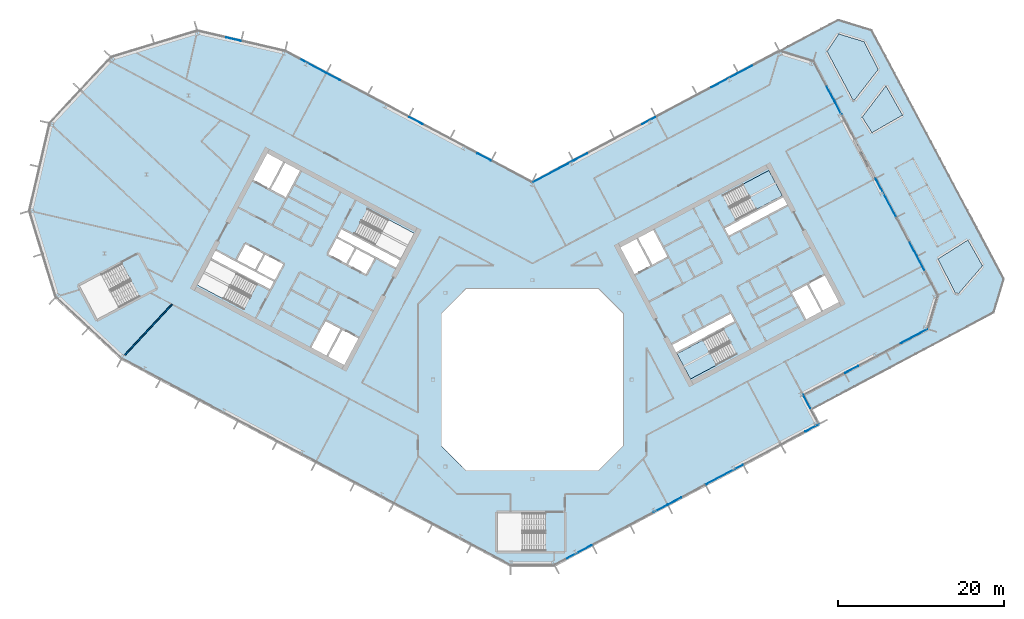
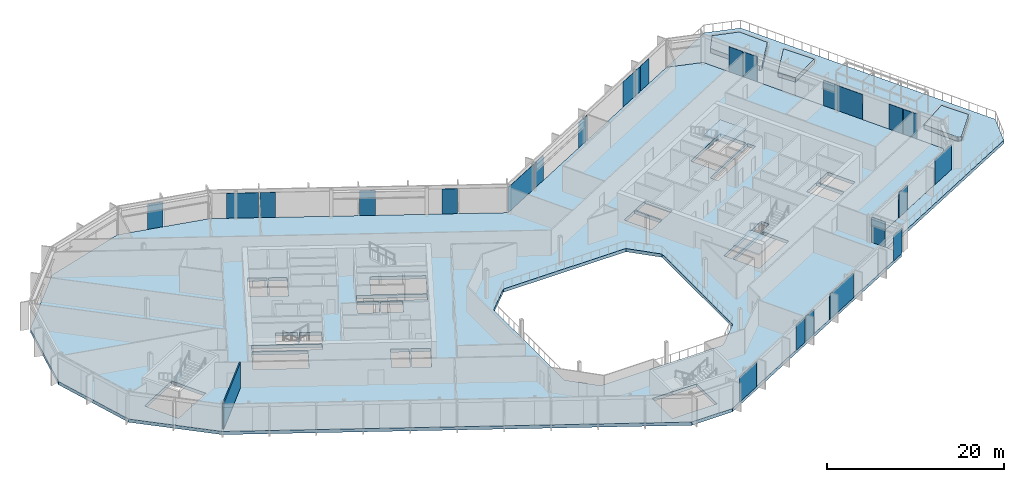
# One storey, part 14 of 31: 23 plates, 7 slabs, 1 wall, 9 elements without a shape of their own.
"""IFC4 building model written with IfcOpenShell, lengths in metres."""

from ifc_helpers import new_model, si_unit, direction, frame, frame_2d, origin, origin_2d, place, context, subcontext, project, spatial, polyline, rectangle, outline, extrude, material, layer, layer_set, type_object, element, aggregate, save


model = new_model("IFC4")

# Units and contexts
model_context = context("Model", 3, precision=1e-05, world=origin(), true_north=direction((0.0, 1.0)))
body_context = subcontext(model_context, "Body", "Model", "MODEL_VIEW")
ifc_project = project(units=[si_unit("LENGTHUNIT", "METRE"), si_unit("AREAUNIT", "SQUARE_METRE"), si_unit("VOLUMEUNIT", "CUBIC_METRE"), si_unit("PLANEANGLEUNIT", "RADIAN"), si_unit("MASSUNIT", "GRAM", prefix="KILO")], contexts=[model_context])

# Site, building, storey
site_placement = place(None, origin())
site = spatial("IfcSite", under=ifc_project, at=site_placement, CompositionType="ELEMENT")
building_placement = place(site_placement, origin())
building = spatial("IfcBuilding", under=site, at=building_placement, Name="Cormorant Relay Tower", CompositionType="ELEMENT")
storey_placement = place(building_placement, frame((0.0, 0.0, 189.60009765625)))
storey = spatial("IfcBuildingStorey", under=building, at=storey_placement, Name="L40", CompositionType="ELEMENT", Elevation=189.60009765625)

# Curtain wall, plates
ifc_material_1 = material(Name="Aluminium 6063-T6 anodised bronze", Category="aluminium")
ifc_layer_1 = layer(ifc_material_1, 0.199951171875)
ifc_layer_set_1 = layer_set([ifc_layer_1], Name="CW1 unitised bronze curtain wall with vertical fins")
curtain_wall_type = type_object("IfcCurtainWallType", Name="CW1 unitised bronze curtain wall with vertical fins", PredefinedType="NOTDEFINED", material=ifc_layer_set_1)
curtain_wall_1_placement = place(storey_placement, origin())
curtain_wall_1 = element("IfcCurtainWall", 1, at=curtain_wall_1_placement, inside=storey, type_object=curtain_wall_type, Name="CW1 curtain wall 2", PredefinedType="NOTDEFINED")
ifc_material_2 = material(Name="Tinted laminated glass", Category="glass")
ifc_layer_2 = layer(ifc_material_2, 0.0400390625)
ifc_layer_set_2 = layer_set([ifc_layer_2], Name="CW1 tinted vision panel 1800 module")
plate_type_1 = type_object("IfcPlateType", Name="CW1 tinted vision panel 1800 module", PredefinedType="CURTAIN_PANEL", material=ifc_layer_set_2)
plate_1_placement = place(storey_placement, frame((15.48291015625, -15.57421875, 0.0), z_axis=(0.0, 0.0, 1.0), x_axis=(0.882947592859, 0.469471562786, 0.0)))
plate_1 = element("IfcPlate", 2, at=plate_1_placement, type_object=plate_type_1, Name="CW1 panel V03", PredefinedType="CURTAIN_PANEL", context=body_context, shape_type="SweptSolid", body=[
    extrude(rectangle(XDim=1.800048828125, YDim=0.0400390625, at=origin_2d()), origin(), (0.0, 0.0, 1.0), 3.449951171875),
])
plate_2_placement = place(storey_placement, frame((17.20458984375, -14.65869140625, 0.0), z_axis=(0.0, 0.0, 1.0), x_axis=(0.882947592859, 0.469471562786, 0.0)))
plate_2 = element("IfcPlate", 3, at=plate_2_placement, type_object=plate_type_1, Name="CW1 panel V04", PredefinedType="CURTAIN_PANEL", context=body_context, shape_type="SweptSolid", body=[
    extrude(rectangle(XDim=1.800048828125, YDim=0.0400390625, at=origin_2d()), origin(), (0.0, 0.0, 1.0), 3.449951171875),
])
plate_3_placement = place(storey_placement, frame((33.796142578125, -5.8369140625, 0.0), z_axis=(0.0, 0.0, 1.0), x_axis=(0.882947592859, 0.469471562786, 0.0)))
plate_3 = element("IfcPlate", 4, at=plate_3_placement, type_object=plate_type_1, Name="CW1 panel V08", PredefinedType="CURTAIN_PANEL", context=body_context, shape_type="SweptSolid", body=[
    extrude(rectangle(XDim=1.800048828125, YDim=0.0400390625, at=origin_2d()), origin(), (0.0, 0.0, 1.0), 3.449951171875),
])

# Curtain wall, plate
curtain_wall_2_placement = place(storey_placement, origin())
curtain_wall_2 = element("IfcCurtainWall", 5, at=curtain_wall_2_placement, inside=storey, type_object=curtain_wall_type, Name="CW1 curtain wall 3", PredefinedType="NOTDEFINED")
plate_4_placement = place(storey_placement, frame((33.143798828125, -2.650146484375, 0.0), z_axis=(0.0, 0.0, 1.0), x_axis=(-0.469471562786, 0.882947592859, 0.0)))
plate_4 = element("IfcPlate", 6, at=plate_4_placement, type_object=plate_type_1, Name="CW1 panel V01", PredefinedType="CURTAIN_PANEL", context=body_context, shape_type="SweptSolid", body=[
    extrude(rectangle(XDim=1.800048828125, YDim=0.0400390625, at=origin_2d()), origin(), (0.0, 0.0, 1.0), 3.449951171875),
])
aggregate(curtain_wall_2, [plate_4])

curtain_wall_3_placement = place(storey_placement, origin())
curtain_wall_3 = element("IfcCurtainWall", 7, at=curtain_wall_3_placement, inside=storey, type_object=curtain_wall_type, Name="CW1 curtain wall 4", PredefinedType="NOTDEFINED")
plate_5_placement = place(storey_placement, frame((38.5771484375, 1.235595703125, 0.0), z_axis=(0.0, 0.0, 1.0), x_axis=(0.882947592859, 0.469471562786, 0.0)))
plate_5 = element("IfcPlate", 8, at=plate_5_placement, type_object=plate_type_1, Name="CW1 panel V01", PredefinedType="CURTAIN_PANEL", context=body_context, shape_type="SweptSolid", body=[
    extrude(rectangle(XDim=1.800048828125, YDim=0.0400390625, at=origin_2d()), origin(), (0.0, 0.0, 1.0), 3.449951171875),
])

# Curtain wall, plates
curtain_wall_4_placement = place(storey_placement, origin())
curtain_wall_4 = element("IfcCurtainWall", 9, at=curtain_wall_4_placement, inside=storey, type_object=curtain_wall_type, Name="CW1 curtain wall 6", PredefinedType="NOTDEFINED")
plate_6_placement = place(storey_placement, frame((46.925537109375, 14.031005859375, 0.0), z_axis=(0.0, 0.0, 1.0), x_axis=(-0.469471562786, 0.882947592859, 0.0)))
plate_6 = element("IfcPlate", 10, at=plate_6_placement, type_object=plate_type_1, Name="CW1 panel V01", PredefinedType="CURTAIN_PANEL", context=body_context, shape_type="SweptSolid", body=[
    extrude(rectangle(XDim=1.800048828125, YDim=0.0400390625, at=origin_2d()), origin(), (0.0, 0.0, 1.0), 3.449951171875),
])
plate_7_placement = place(storey_placement, frame((46.01025390625, 15.752685546875, 0.0), z_axis=(0.0, 0.0, 1.0), x_axis=(-0.469471562786, 0.882947592859, 0.0)))
plate_7 = element("IfcPlate", 11, at=plate_7_placement, type_object=plate_type_1, Name="CW1 panel V02", PredefinedType="CURTAIN_PANEL", context=body_context, shape_type="SweptSolid", body=[
    extrude(rectangle(XDim=1.800048828125, YDim=0.0400390625, at=origin_2d()), origin(), (0.0, 0.0, 1.0), 3.449951171875),
])
plate_8_placement = place(storey_placement, frame((36.91015625, 32.8671875, 0.0), z_axis=(0.0, 0.0, 1.0), x_axis=(-0.469471562786, 0.882947592859, 0.0)))
plate_8 = element("IfcPlate", 12, at=plate_8_placement, type_object=plate_type_1, Name="CW1 panel V07", PredefinedType="CURTAIN_PANEL", context=body_context, shape_type="SweptSolid", body=[
    extrude(rectangle(XDim=1.800048828125, YDim=0.0400390625, at=origin_2d()), origin(), (0.0, 0.0, 1.0), 3.449951171875),
])
plate_9_placement = place(storey_placement, frame((35.994873046875, 34.5888671875, 0.0), z_axis=(0.0, 0.0, 1.0), x_axis=(-0.469471562786, 0.882947592859, 0.0)))
plate_9 = element("IfcPlate", 13, at=plate_9_placement, type_object=plate_type_1, Name="CW1 panel V08", PredefinedType="CURTAIN_PANEL", context=body_context, shape_type="SweptSolid", body=[
    extrude(rectangle(XDim=1.800048828125, YDim=0.0400390625, at=origin_2d()), origin(), (0.0, 0.0, 1.0), 3.449951171875),
])

curtain_wall_5_placement = place(storey_placement, origin())
curtain_wall_5 = element("IfcCurtainWall", 14, at=curtain_wall_5_placement, inside=storey, type_object=curtain_wall_type, Name="CW1 curtain wall 8", PredefinedType="NOTDEFINED")
plate_10_placement = place(storey_placement, frame((25.746337890625, 37.49609375, 0.0), z_axis=(0.0, 0.0, 1.0), x_axis=(-0.882947592859, -0.469471562786, 0.0)))
plate_10 = element("IfcPlate", 15, at=plate_10_placement, type_object=plate_type_1, Name="CW1 panel V01", PredefinedType="CURTAIN_PANEL", context=body_context, shape_type="SweptSolid", body=[
    extrude(rectangle(XDim=1.800048828125, YDim=0.0400390625, at=origin_2d()), origin(), (0.0, 0.0, 1.0), 3.449951171875),
])
plate_11_placement = place(storey_placement, frame((14.066650390625, 31.285888671875, 0.0), z_axis=(0.0, 0.0, 1.0), x_axis=(-0.882947592859, -0.469471562786, 0.0)))
plate_11 = element("IfcPlate", 16, at=plate_11_placement, type_object=plate_type_1, Name="CW1 panel V04", PredefinedType="CURTAIN_PANEL", context=body_context, shape_type="SweptSolid", body=[
    extrude(rectangle(XDim=1.800048828125, YDim=0.0400390625, at=origin_2d()), origin(), (0.0, 0.0, 1.0), 3.449951171875),
])
plate_12_placement = place(storey_placement, frame((5.830322265625, 26.90673828125, 0.0), z_axis=(0.0, 0.0, 1.0), x_axis=(-0.882947592859, -0.469471562786, 0.0)))
plate_12 = element("IfcPlate", 17, at=plate_12_placement, type_object=plate_type_1, Name="CW1 panel V06", PredefinedType="CURTAIN_PANEL", context=body_context, shape_type="SweptSolid", body=[
    extrude(rectangle(XDim=1.800048828125, YDim=0.0400390625, at=origin_2d()), origin(), (0.0, 0.0, 1.0), 3.449951171875),
])

curtain_wall_6_placement = place(storey_placement, origin())
curtain_wall_6 = element("IfcCurtainWall", 18, at=curtain_wall_6_placement, inside=storey, type_object=curtain_wall_type, Name="CW1 curtain wall 9", PredefinedType="NOTDEFINED")
plate_13_placement = place(storey_placement, frame((-5.830322265625, 26.90673828125, 0.0), z_axis=(0.0, 0.0, 1.0), x_axis=(-0.882947592859, 0.469471562786, 0.0)))
plate_13 = element("IfcPlate", 19, at=plate_13_placement, type_object=plate_type_1, Name="CW1 panel V01", PredefinedType="CURTAIN_PANEL", context=body_context, shape_type="SweptSolid", body=[
    extrude(rectangle(XDim=1.800048828125, YDim=0.0400390625, at=origin_2d()), origin(), (0.0, 0.0, 1.0), 3.449951171875),
])
plate_14_placement = place(storey_placement, frame((-14.066650390625, 31.285888671875, 0.0), z_axis=(0.0, 0.0, 1.0), x_axis=(-0.882947592859, 0.469471562786, 0.0)))
plate_14 = element("IfcPlate", 20, at=plate_14_placement, type_object=plate_type_1, Name="CW1 panel V03", PredefinedType="CURTAIN_PANEL", context=body_context, shape_type="SweptSolid", body=[
    extrude(rectangle(XDim=1.800048828125, YDim=0.0400390625, at=origin_2d()), origin(), (0.0, 0.0, 1.0), 3.449951171875),
])
plate_15_placement = place(storey_placement, frame((-24.0244140625, 36.580810546875, 0.0), z_axis=(0.0, 0.0, 1.0), x_axis=(-0.882947592859, 0.469471562786, 0.0)))
plate_15 = element("IfcPlate", 21, at=plate_15_placement, type_object=plate_type_1, Name="CW1 panel V05", PredefinedType="CURTAIN_PANEL", context=body_context, shape_type="SweptSolid", body=[
    extrude(rectangle(XDim=1.800048828125, YDim=0.0400390625, at=origin_2d()), origin(), (0.0, 0.0, 1.0), 3.449951171875),
])

# Curtain wall, plate
curtain_wall_7_placement = place(storey_placement, origin())
curtain_wall_7 = element("IfcCurtainWall", 22, at=curtain_wall_7_placement, inside=storey, type_object=curtain_wall_type, Name="CW1 curtain wall 10", PredefinedType="NOTDEFINED")
plate_16_placement = place(storey_placement, frame((-36.114990234375, 41.129638671875, 0.0), z_axis=(0.0, 0.0, 1.0), x_axis=(-0.974370064785, 0.224951054344, 0.0)))
plate_16 = element("IfcPlate", 23, at=plate_16_placement, type_object=plate_type_1, Name="CW1 panel V01", PredefinedType="CURTAIN_PANEL", context=body_context, shape_type="SweptSolid", body=[
    extrude(rectangle(XDim=1.800048828125, YDim=0.0400390625, at=origin_2d()), origin(), (0.0, 0.0, 1.0), 3.449951171875),
])
aggregate(curtain_wall_7, [plate_16])

# Plate
ifc_material_3 = material(Name="Tinted laminated glass", Category="glass")
ifc_layer_3 = layer(ifc_material_3, 0.0400390625)
ifc_layer_set_3 = layer_set([ifc_layer_3], Name="CW1 tinted vision panel 3600 module")
plate_type_2 = type_object("IfcPlateType", Name="CW1 tinted vision panel 3600 module", PredefinedType="CURTAIN_PANEL", material=ifc_layer_set_3)
plate_17_placement = place(storey_placement, frame((5.564453125, -20.847900390625, 0.0), z_axis=(0.0, 0.0, 1.0), x_axis=(0.882947592859, 0.469471562786, 0.0)))
plate_17 = element("IfcPlate", 24, at=plate_17_placement, type_object=plate_type_2, Name="CW1 panel V01", PredefinedType="CURTAIN_PANEL", context=body_context, shape_type="SweptSolid", body=[
    extrude(rectangle(XDim=3.60009765625, YDim=0.0400390625, at=origin_2d()), origin(), (0.0, 0.0, 1.0), 3.449951171875),
])

plate_18_placement = place(storey_placement, frame((46.1337890625, 5.25341796875, 0.0), z_axis=(0.0, 0.0, 1.0), x_axis=(0.882947592859, 0.469471562786, 0.0)))
plate_18 = element("IfcPlate", 25, at=plate_18_placement, type_object=plate_type_2, Name="CW1 panel V03", PredefinedType="CURTAIN_PANEL", context=body_context, shape_type="SweptSolid", body=[
    extrude(rectangle(XDim=3.60009765625, YDim=0.0400390625, at=origin_2d()), origin(), (0.0, 0.0, 1.0), 3.449951171875),
])

aggregate(curtain_wall_3, [plate_5, plate_18])

plate_19_placement = place(storey_placement, frame((23.22998046875, 36.158203125, 0.0), z_axis=(0.0, 0.0, 1.0), x_axis=(-0.882947592859, -0.469471562786, 0.0)))
plate_19 = element("IfcPlate", 26, at=plate_19_placement, type_object=plate_type_2, Name="CW1 panel V02", PredefinedType="CURTAIN_PANEL", context=body_context, shape_type="SweptSolid", body=[
    extrude(rectangle(XDim=3.60009765625, YDim=0.0400390625, at=origin_2d()), origin(), (0.0, 0.0, 1.0), 3.449951171875),
])

plate_20_placement = place(storey_placement, frame((-26.541015625, 37.918701171875, 0.0), z_axis=(0.0, 0.0, 1.0), x_axis=(-0.882947592859, 0.469471562786, 0.0)))
plate_20 = element("IfcPlate", 27, at=plate_20_placement, type_object=plate_type_2, Name="CW1 panel V06", PredefinedType="CURTAIN_PANEL", context=body_context, shape_type="SweptSolid", body=[
    extrude(rectangle(XDim=3.60009765625, YDim=0.0400390625, at=origin_2d()), origin(), (0.0, 0.0, 1.0), 3.449951171875),
])

aggregate(curtain_wall_6, [plate_13, plate_14, plate_15, plate_20])

ifc_material_4 = material(Name="Tinted laminated glass", Category="glass")
ifc_layer_4 = layer(ifc_material_4, 0.0400390625)
ifc_layer_set_4 = layer_set([ifc_layer_4], Name="CW1 tinted vision panel 5400 module")
plate_type_3 = type_object("IfcPlateType", Name="CW1 tinted vision panel 5400 module", PredefinedType="CURTAIN_PANEL", material=ifc_layer_set_4)
plate_21_placement = place(storey_placement, frame((23.186279296875, -11.478271484375, 0.0), z_axis=(0.0, 0.0, 1.0), x_axis=(0.882947592859, 0.469471562786, 0.0)))
plate_21 = element("IfcPlate", 28, at=plate_21_placement, type_object=plate_type_3, Name="CW1 panel V06", PredefinedType="CURTAIN_PANEL", context=body_context, shape_type="SweptSolid", body=[
    extrude(rectangle(XDim=5.0166015625, YDim=0.0400390625, at=origin_2d()), origin(), (0.0, 0.0, 1.0), 3.449951171875),
])

aggregate(curtain_wall_1, [plate_17, plate_1, plate_2, plate_21, plate_3])

plate_22_placement = place(storey_placement, frame((42.712158203125, 21.955322265625, 0.0), z_axis=(0.0, 0.0, 1.0), x_axis=(-0.469471562786, 0.882947592859, 0.0)))
plate_22 = element("IfcPlate", 29, at=plate_22_placement, type_object=plate_type_3, Name="CW1 panel V04", PredefinedType="CURTAIN_PANEL", context=body_context, shape_type="SweptSolid", body=[
    extrude(rectangle(XDim=5.183349609375, YDim=0.0400390625, at=origin_2d()), origin(), (0.0, 0.0, 1.0), 3.449951171875),
])

aggregate(curtain_wall_4, [plate_6, plate_7, plate_22, plate_8, plate_9])

plate_23_placement = place(storey_placement, frame((2.447021484375, 25.107666015625, 0.0), z_axis=(0.0, 0.0, 1.0), x_axis=(-0.882947592859, -0.469471562786, 0.0)))
plate_23 = element("IfcPlate", 30, at=plate_23_placement, type_object=plate_type_3, Name="CW1 panel V07", PredefinedType="CURTAIN_PANEL", context=body_context, shape_type="SweptSolid", body=[
    extrude(rectangle(XDim=5.56396484375, YDim=0.0400390625, at=origin_2d()), origin(), (0.0, 0.0, 1.0), 3.449951171875),
])

aggregate(curtain_wall_5, [plate_10, plate_19, plate_11, plate_12, plate_23])

# Stair, slab
ifc_material_5 = material(Name="Concrete 40 MPa", Category="concrete")
stair_type = type_object("IfcStairType", Name="Exit stair 1500", PredefinedType="HALF_TURN_STAIR", material=ifc_material_5)
stair_1_placement = place(storey_placement, origin())
stair_1 = element("IfcStair", 31, at=stair_1_placement, inside=storey, type_object=stair_type, Name="L40 Stair", PredefinedType="HALF_TURN_STAIR")
ifc_material_6 = material(Name="Concrete 40 MPa", Category="concrete")
ifc_layer_5 = layer(ifc_material_6, 0.199951171875)
ifc_layer_set_5 = layer_set([ifc_layer_5], Name="Exit stair landing 200")
slab_type_1 = type_object("IfcSlabType", Name="Exit stair landing 200", PredefinedType="LANDING", material=ifc_layer_set_5)
slab_1_placement = place(storey_placement, frame((0.0, 0.0, 1.75)))
slab_1 = element("IfcSlab", 32, at=slab_1_placement, type_object=slab_type_1, Name="B1 landing 1", PredefinedType="LANDING", context=body_context, shape_type="SweptSolid", body=[
    extrude(outline(polyline([(20.614990234375, 4.78857421875), (17.48046875, 3.1220703125), (19.10009765625, 0.075927734375), (22.234619140625, 1.742431640625), (20.614990234375, 4.78857421875)])), origin(), (0.0, 0.0, 1.0), 0.199951171875),
])
aggregate(stair_1, [slab_1])

stair_2_placement = place(storey_placement, origin())
stair_2 = element("IfcStair", 33, at=stair_2_placement, inside=storey, type_object=stair_type, Name="L40 Stair", PredefinedType="HALF_TURN_STAIR")
slab_2_placement = place(storey_placement, frame((0.0, 0.0, 1.75)))
slab_2 = element("IfcSlab", 34, at=slab_2_placement, type_object=slab_type_1, Name="B2 landing 1", PredefinedType="LANDING", context=body_context, shape_type="SweptSolid", body=[
    extrude(outline(polyline([(27.064208984375, 20.562744140625), (30.19873046875, 22.2294921875), (28.5791015625, 25.275634765625), (25.444580078125, 23.60888671875), (27.064208984375, 20.562744140625)])), origin(), (0.0, 0.0, 1.0), 0.199951171875),
])
aggregate(stair_2, [slab_2])

# Slabs
ifc_material_7 = material(Name="Concrete 40 MPa", Category="concrete")
ifc_layer_6 = layer(ifc_material_7, 0.449951171875)
ifc_layer_set_6 = layer_set([ifc_layer_6], Name="Flat plate 450")
slab_type_2 = type_object("IfcSlabType", Name="Flat plate 450", PredefinedType="FLOOR", material=ifc_layer_set_6)
slab_3_placement = place(storey_placement, frame((0.0, 0.0, -0.4501953125)))
element("IfcSlab", 35, at=slab_3_placement, inside=storey, type_object=slab_type_2, Name="Floor slab L40", PredefinedType="FLOOR", context=body_context, shape_type="SweptSolid", body=[
    extrude(outline(polyline([(-60.7197265625, 20.393310546875), (-58.2744140625, 30.985107421875), (-50.86083984375, 38.935302734375), (-40.465576171875, 42.11328125), (-29.873779296875, 39.668212890625), (0.0, 23.783935546875), (29.873779296875, 39.668212890625), (33.930908203125, 38.427734375), (48.9541015625, 10.17333984375), (47.713623046875, 6.1162109375), (32.70361328125, -1.864990234375), (34.581298828125, -5.396728515625), (2.648681640625, -22.37548828125), (-2.648681640625, -22.37548828125), (-49.591552734375, 2.584228515625), (-57.541748046875, 9.997802734375), (-60.7197265625, 20.393310546875)]), holes=[polyline([(11.0, -8.0), (11.0, 8.0), (8.0, 11.0), (-8.0, 11.0), (-11.0, 8.0), (-11.0, -8.0), (-8.0, -11.0), (8.0, -11.0), (11.0, -8.0)]), polyline([(-22.95458984375, 6.03271484375), (-24.668212890625, 2.81005859375), (-22.725830078125, 1.777099609375), (-21.01220703125, 5.0), (-23.04296875, 6.07958984375), (-22.95458984375, 6.03271484375)]), polyline([(-24.985595703125, 7.112548828125), (-26.69921875, 3.889892578125), (-24.844970703125, 2.90380859375), (-23.13134765625, 6.126708984375), (-23.04296875, 6.07958984375), (-24.985595703125, 7.112548828125)]), polyline([(-54.69970703125, 11.330810546875), (-52.563720703125, 7.3134765625), (-47.442626953125, 10.036376953125), (-49.57861328125, 14.0537109375), (-54.69970703125, 11.330810546875)]), polyline([(-33.240966796875, 11.502197265625), (-38.847900390625, 14.483154296875), (-40.46728515625, 11.43701171875), (-34.860595703125, 8.455810546875), (-33.240966796875, 11.502197265625)]), polyline([(-38.260986328125, 15.5869140625), (-38.75390625, 14.659912109375), (-31.690185546875, 10.904052734375), (-31.197265625, 11.8310546875), (-38.260986328125, 15.5869140625)]), polyline([(-31.103515625, 12.0078125), (-30.070556640625, 13.9501953125), (-32.278076171875, 15.123779296875), (-33.310791015625, 13.181396484375), (-31.103515625, 12.0078125)]), polyline([(-22.2880859375, 13.889404296875), (-20.080810546875, 12.7158203125), (-19.048095703125, 14.658203125), (-21.25537109375, 15.831787109375), (-22.2880859375, 13.889404296875)]), polyline([(-34.661865234375, 16.3916015625), (-35.69482421875, 14.448974609375), (-33.4873046875, 13.275390625), (-32.45458984375, 15.2177734375), (-34.661865234375, 16.3916015625)]), polyline([(-21.431884765625, 15.92578125), (-23.639404296875, 17.099609375), (-24.672119140625, 15.156982421875), (-22.46484375, 13.9833984375), (-21.431884765625, 15.92578125)]), polyline([(-31.611572265625, 22.980712890625), (-29.75732421875, 21.99462890625), (-28.043701171875, 25.217529296875), (-29.89794921875, 26.203369140625), (-31.611572265625, 22.980712890625)]), polyline([(-32.01708984375, 27.330078125), (-33.73046875, 24.107421875), (-31.7880859375, 23.074462890625), (-30.074462890625, 26.29736328125), (-32.01708984375, 27.330078125)]), polyline([(-4.199951171875, -16.125), (-4.199951171875, -20.675048828125), (1.60009765625, -20.675048828125), (1.60009765625, -16.125), (-4.199951171875, -16.125)]), polyline([(17.48046875, 3.1220703125), (19.10009765625, 0.07568359375), (24.706787109375, 3.056884765625), (23.087158203125, 6.10302734375), (17.48046875, 3.1220703125)]), polyline([(17.386474609375, 3.298583984375), (24.4501953125, 7.054443359375), (23.957275390625, 7.9814453125), (16.8935546875, 4.2255859375), (17.386474609375, 3.298583984375)]), polyline([(33.197021484375, 11.478515625), (31.3427734375, 10.49267578125), (33.056396484375, 7.27001953125), (34.910400390625, 8.255859375), (33.197021484375, 11.478515625)]), polyline([(33.37353515625, 11.572509765625), (35.087158203125, 8.349609375), (37.029541015625, 9.382568359375), (35.31591796875, 12.605224609375), (33.37353515625, 11.572509765625)]), polyline([(14.3056640625, 13.779052734375), (12.592041015625, 17.001708984375), (10.649658203125, 15.968994140625), (12.36328125, 12.74609375), (14.39404296875, 13.825927734375), (14.3056640625, 13.779052734375)]), polyline([(16.33642578125, 14.85888671875), (14.622802734375, 18.08154296875), (12.768798828125, 17.095703125), (14.482421875, 13.872802734375), (14.39404296875, 13.825927734375), (16.33642578125, 14.85888671875)]), polyline([(-16.481689453125, 13.520263671875), (-15.989013671875, 14.447509765625), (-23.052490234375, 18.203125), (-23.54541015625, 17.276123046875), (-16.481689453125, 13.520263671875)]), polyline([(-15.89501953125, 14.6240234375), (-14.275390625, 17.670166015625), (-19.882080078125, 20.6513671875), (-21.501708984375, 17.605224609375), (-15.89501953125, 14.6240234375)]), polyline([(30.78564453125, 21.125732421875), (30.29248046875, 22.052978515625), (23.22900390625, 18.297119140625), (23.721923828125, 17.3701171875), (30.78564453125, 21.125732421875)]), polyline([(24.592041015625, 19.248291015625), (30.19873046875, 22.2294921875), (28.5791015625, 25.275634765625), (22.972412109375, 22.29443359375), (24.592041015625, 19.248291015625)])]), origin(), (0.0, 0.0, 1.0), 0.4501953125),
])
ifc_material_8 = material(Name="Planting soil")
ifc_layer_7 = layer(ifc_material_8, 0.60009765625)
ifc_layer_set_7 = layer_set([ifc_layer_7], Name="PLANTER bed")
slab_type_3 = type_object("IfcSlabType", Name="PLANTER bed", PredefinedType="FLOOR", material=ifc_layer_set_7)
slab_4_placement = place(storey_placement, origin())
element("IfcSlab", 36, at=slab_4_placement, inside=storey, type_object=slab_type_3, Name="Terrace PLANTER 40-01", PredefinedType="FLOOR", context=body_context, shape_type="SweptSolid", body=[
    extrude(outline(polyline([(51.5, 10.398193359375), (54.383056640625, 13.753662109375), (52.626708984375, 16.868408203125), (48.99267578125, 14.57421875), (51.083740234375, 10.500244140625), (51.5, 10.398193359375)])), origin(), (0.0, 0.0, 1.0), 0.599853515625),
])
slab_5_placement = place(storey_placement, origin())
element("IfcSlab", 37, at=slab_5_placement, inside=storey, type_object=slab_type_3, Name="Terrace PLANTER 40-02", PredefinedType="FLOOR", context=body_context, shape_type="SweptSolid", body=[
    extrude(outline(polyline([(41.02880859375, 29.8310546875), (44.727294921875, 31.9462890625), (42.717041015625, 35.489013671875), (39.83837890625, 31.710693359375), (41.02880859375, 29.8310546875)])), origin(), (0.0, 0.0, 1.0), 0.599853515625),
])
slab_6_placement = place(storey_placement, origin())
element("IfcSlab", 38, at=slab_6_placement, inside=storey, type_object=slab_type_3, Name="Terrace PLANTER 40-03", PredefinedType="FLOOR", context=body_context, shape_type="SweptSolid", body=[
    extrude(outline(polyline([(38.930908203125, 33.775146484375), (41.7880859375, 37.470947265625), (40.07177734375, 40.826904296875), (37.019287109375, 41.760009765625), (35.60009765625, 39.6552734375), (38.68017578125, 33.862548828125), (38.930908203125, 33.775146484375)])), origin(), (0.0, 0.0, 1.0), 0.599853515625),
])
ifc_material_9 = material(Name="Concrete 40 MPa", Category="concrete")
ifc_layer_8 = layer(ifc_material_9, 0.449951171875)
ifc_layer_set_8 = layer_set([ifc_layer_8], Name="Terrace slab 450")
slab_type_4 = type_object("IfcSlabType", Name="Terrace slab 450", PredefinedType="FLOOR", material=ifc_layer_set_8)
slab_7_placement = place(storey_placement, frame((0.0, 0.0, -0.4501953125)))
element("IfcSlab", 39, at=slab_7_placement, inside=storey, type_object=slab_type_4, Name="Terrace slab L40", PredefinedType="FLOOR", context=body_context, shape_type="SweptSolid", body=[
    extrude(outline(polyline([(36.937255859375, 43.423828125), (40.99462890625, 42.18359375), (56.95654296875, 12.1630859375), (55.71630859375, 8.10595703125), (33.642578125, -3.630859375), (32.70361328125, -1.864990234375), (47.713623046875, 6.1162109375), (48.9541015625, 10.17333984375), (33.930908203125, 38.427734375), (29.873779296875, 39.668212890625), (36.937255859375, 43.423828125)])), origin(), (0.0, 0.0, 1.0), 0.4501953125),
])

# Wall
ifc_material_10 = material(Name="Gypsum board partition")
ifc_layer_9 = layer(ifc_material_10, 0.14990234375)
ifc_layer_set_9 = layer_set([ifc_layer_9], Name="Tenant partition 150")
wall_type = type_object("IfcWallType", Name="Tenant partition 150", PredefinedType="PARTITIONING", material=ifc_layer_set_9)
wall_placement = place(storey_placement, frame((-43.51904296875, 9.095947265625, 0.0), z_axis=(0.0, 0.0, 1.0), x_axis=(-0.681976527411, -0.731374060287, 0.0)))
element("IfcWall", 40, at=wall_placement, inside=storey, type_object=wall_type, Name="wall/L40/part/009", PredefinedType="PARTITIONING", context=body_context, shape_type="SweptSolid", body=[
    extrude(rectangle(XDim=8.402099609375, YDim=0.14990234375, at=frame_2d((4.201171875, 0.0))), origin(), (0.0, 0.0, 1.0), 3.539794921875),
])

save(model, "model.ifc")
